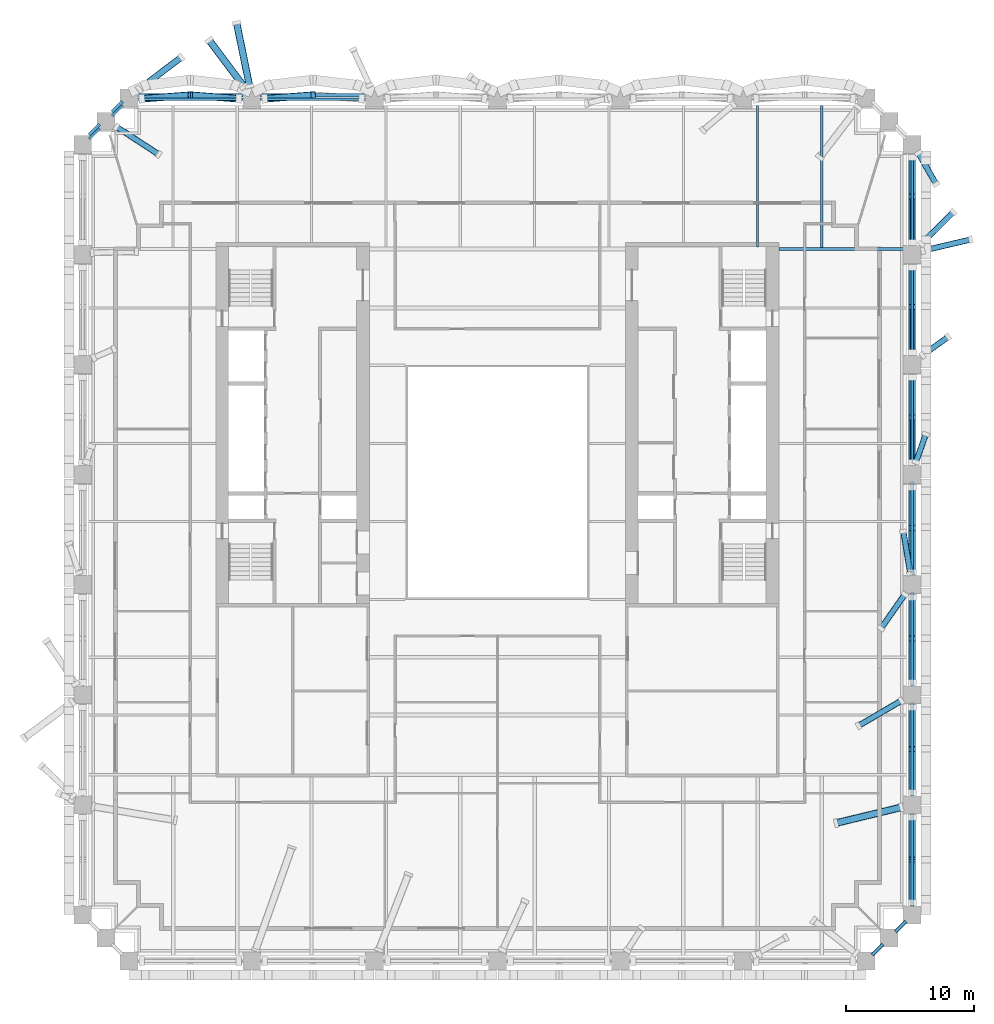
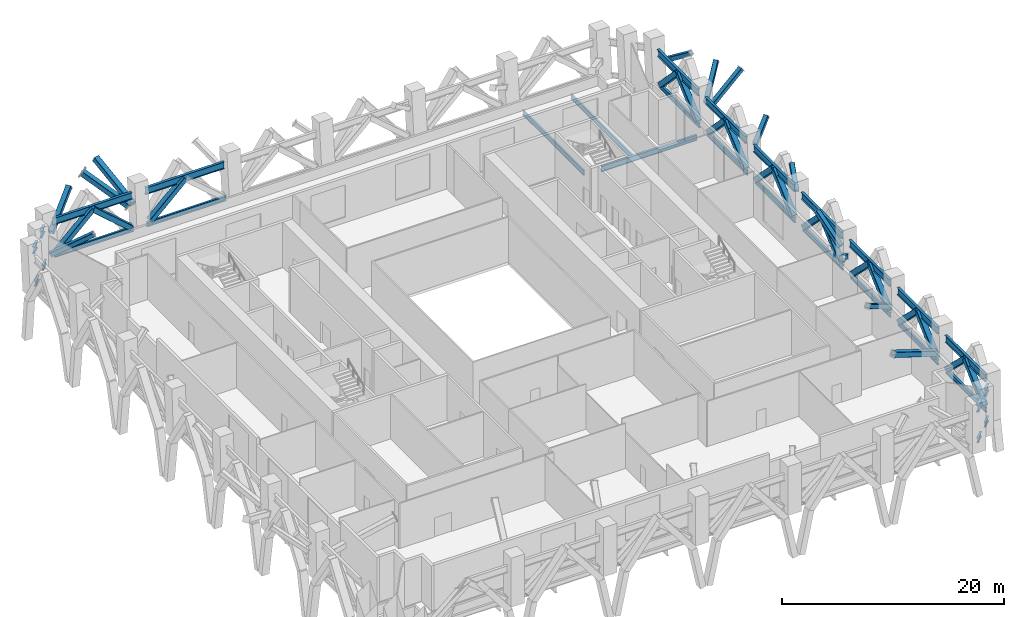
# One storey, part 3 of 19: 30 members, 29 beams.
"""IFC4 building model written with IfcOpenShell, lengths in metres."""

from ifc_helpers import new_model, si_unit, direction, frame, origin, origin_2d, place, context, subcontext, project, spatial, hollow_rectangle, i_section, extrude, material, material_profile, profile_set, type_object, element, save


model = new_model("IFC4")

# Units and contexts
model_context = context("Model", 3, precision=1e-05, world=origin(), true_north=direction((0.0, 1.0)))
body_context = subcontext(model_context, "Body", "Model", "MODEL_VIEW")
ifc_project = project(units=[si_unit("LENGTHUNIT", "METRE"), si_unit("AREAUNIT", "SQUARE_METRE"), si_unit("VOLUMEUNIT", "CUBIC_METRE"), si_unit("PLANEANGLEUNIT", "RADIAN"), si_unit("MASSUNIT", "GRAM", prefix="KILO")], contexts=[model_context])

# Site, building, storey
site_placement = place(None, origin())
site = spatial("IfcSite", under=ifc_project, at=site_placement, CompositionType="ELEMENT")
building_placement = place(site_placement, origin())
building = spatial("IfcBuilding", under=site, at=building_placement, Name="Ogive Exchange Tower", CompositionType="ELEMENT")
storey_placement = place(building_placement, frame((0.0, 0.0, 94.199951171875)))
storey = spatial("IfcBuildingStorey", under=building, at=storey_placement, Name="L20", CompositionType="ELEMENT", Elevation=94.199951171875)

# Beams
ifc_material_1 = material(Name="Steel ASTM A992 Gr50", Category="steel")
ifc_material_profile_1 = material_profile(ifc_material_1, i_section(OverallWidth=0.2099609375, OverallDepth=0.535888671875, WebThickness=0.010986328125, FlangeThickness=0.017333984375, at=origin_2d()), Name="W530x101")
ifc_profile_set_1 = profile_set([ifc_material_profile_1], Name="Steel ASTM A992 Gr50")
beam_type_1 = type_object("IfcBeamType", Name="Belt truss bottom chord W530x101", PredefinedType="BEAM", material=ifc_profile_set_1)
for number, where, z_axis, x_axis, name in (
    (1, (29.287841796875, -29.912109375, 0.400146484375), (0.707106781187, 0.707106781187, 0.0), (-0.707106781187, 0.707106781187, 0.0), "Belt truss bottom chord 7"),
    (2, (31.087890625, -28.112060546875, 0.400146484375), (0.707106781187, 0.707106781187, 0.0), (-0.707106781187, 0.707106781187, 0.0), "Belt truss bottom chord 8"),
):
    element("IfcBeam", number, at=place(storey_placement, frame(where, z_axis=z_axis, x_axis=x_axis)), inside=storey, type_object=beam_type_1, Name=name, PredefinedType="BEAM", context=body_context, shape_type="SweptSolid", body=[
        extrude(i_section(OverallWidth=0.2099609375, OverallDepth=0.535888671875, WebThickness=0.010986328125, FlangeThickness=0.017333984375, at=origin_2d()), origin(), (0.0, 0.0, 1.0), 1.16552734375),
    ])
beam_1_placement = place(storey_placement, frame((32.39990234375, -26.1201171875, 0.400146484375), z_axis=(0.0, 1.0, 0.0), x_axis=(-1.0, 0.0, 0.0)))
element("IfcBeam", 3, at=beam_1_placement, inside=storey, type_object=beam_type_1, Name="Belt truss bottom chord 9", PredefinedType="BEAM", context=body_context, shape_type="SweptSolid", body=[
    extrude(i_section(OverallWidth=0.2099609375, OverallDepth=0.535888671875, WebThickness=0.010986328125, FlangeThickness=0.017333984375, at=origin_2d()), origin(), (0.0, 0.0, 1.0), 7.232421875),
])
for number, where, z_axis, x_axis, name in (
    (4, (32.39990234375, -17.52783203125, 0.400146484375), (0.0, 1.0, 0.0), (-1.0, 0.0, 0.0), "Belt truss bottom chord 10"),
    (5, (32.39990234375, -8.935546875, 0.400146484375), (0.0, 1.0, 0.0), (-1.0, 0.0, 0.0), "Belt truss bottom chord 11"),
):
    element("IfcBeam", number, at=place(storey_placement, frame(where, z_axis=z_axis, x_axis=x_axis)), inside=storey, type_object=beam_type_1, Name=name, PredefinedType="BEAM", context=body_context, shape_type="SweptSolid", body=[
        extrude(i_section(OverallWidth=0.2099609375, OverallDepth=0.535888671875, WebThickness=0.010986328125, FlangeThickness=0.017333984375, at=origin_2d()), origin(), (0.0, 0.0, 1.0), 7.232177734375),
    ])
beam_2_placement = place(storey_placement, frame((32.39990234375, -0.343505859375, 0.400146484375), z_axis=(0.0, 1.0, 0.0), x_axis=(-1.0, 0.0, 0.0)))
element("IfcBeam", 6, at=beam_2_placement, inside=storey, type_object=beam_type_1, Name="Belt truss bottom chord 12", PredefinedType="BEAM", context=body_context, shape_type="SweptSolid", body=[
    extrude(i_section(OverallWidth=0.2099609375, OverallDepth=0.535888671875, WebThickness=0.010986328125, FlangeThickness=0.017333984375, at=origin_2d()), origin(), (0.0, 0.0, 1.0), 7.232421875),
])
for number, where, z_axis, x_axis, name in (
    (7, (32.39990234375, 8.248779296875, 0.400146484375), (0.0, 1.0, 0.0), (-1.0, 0.0, 0.0), "Belt truss bottom chord 13"),
    (8, (32.39990234375, 16.841064453125, 0.400146484375), (0.0, 1.0, 0.0), (-1.0, 0.0, 0.0), "Belt truss bottom chord 14"),
):
    element("IfcBeam", number, at=place(storey_placement, frame(where, z_axis=z_axis, x_axis=x_axis)), inside=storey, type_object=beam_type_1, Name=name, PredefinedType="BEAM", context=body_context, shape_type="SweptSolid", body=[
        extrude(i_section(OverallWidth=0.2099609375, OverallDepth=0.535888671875, WebThickness=0.010986328125, FlangeThickness=0.017333984375, at=origin_2d()), origin(), (0.0, 0.0, 1.0), 7.232177734375),
    ])
beam_3_placement = place(storey_placement, frame((32.39990234375, 25.43310546875, 0.400146484375), z_axis=(0.0, 1.0, 0.0), x_axis=(-1.0, 0.0, 0.0)))
element("IfcBeam", 9, at=beam_3_placement, inside=storey, type_object=beam_type_1, Name="Belt truss bottom chord 15", PredefinedType="BEAM", context=body_context, shape_type="SweptSolid", body=[
    extrude(i_section(OverallWidth=0.2099609375, OverallDepth=0.535888671875, WebThickness=0.010986328125, FlangeThickness=0.017333984375, at=origin_2d()), origin(), (0.0, 0.0, 1.0), 7.232421875),
])
beam_4_placement = place(storey_placement, frame((-10.280029296875, 36.945556640625, 0.400146484375), z_axis=(-1.0, 0.0, 0.0), x_axis=(0.0, -1.0, 0.0)))
element("IfcBeam", 10, at=beam_4_placement, inside=storey, type_object=beam_type_1, Name="Belt truss bottom chord 22", PredefinedType="BEAM", context=body_context, shape_type="SweptSolid", body=[
    extrude(i_section(OverallWidth=0.2099609375, OverallDepth=0.535888671875, WebThickness=0.010986328125, FlangeThickness=0.017333984375, at=origin_2d()), origin(), (0.0, 0.0, 1.0), 8.239990234375),
])
beam_5_placement = place(storey_placement, frame((-19.8798828125, 36.945556640625, 0.400146484375), z_axis=(-1.0, 0.0, 0.0), x_axis=(0.0, -1.0, 0.0)))
element("IfcBeam", 11, at=beam_5_placement, inside=storey, type_object=beam_type_1, Name="Belt truss bottom chord 23", PredefinedType="BEAM", context=body_context, shape_type="SweptSolid", body=[
    extrude(i_section(OverallWidth=0.2099609375, OverallDepth=0.535888671875, WebThickness=0.010986328125, FlangeThickness=0.017333984375, at=origin_2d()), origin(), (0.0, 0.0, 1.0), 8.240234375),
])
beam_6_placement = place(storey_placement, frame((-29.287841796875, 36.45751953125, 0.400146484375), z_axis=(-0.707106781187, -0.707106781187, 0.0), x_axis=(0.707106781187, -0.707106781187, 0.0)))
element("IfcBeam", 12, at=beam_6_placement, inside=storey, type_object=beam_type_1, Name="Belt truss bottom chord 24", PredefinedType="BEAM", context=body_context, shape_type="SweptSolid", body=[
    extrude(i_section(OverallWidth=0.2099609375, OverallDepth=0.535888671875, WebThickness=0.010986328125, FlangeThickness=0.017333984375, at=origin_2d()), origin(), (0.0, 0.0, 1.0), 1.16552734375),
])
beam_7_placement = place(storey_placement, frame((-31.087890625, 34.65771484375, 0.400146484375), z_axis=(-0.707002063412, -0.707211483455, 0.0), x_axis=(0.707211483455, -0.707002063412, 0.0)))
element("IfcBeam", 13, at=beam_7_placement, inside=storey, type_object=beam_type_1, Name="Belt truss bottom chord 25", PredefinedType="BEAM", context=body_context, shape_type="SweptSolid", body=[
    extrude(i_section(OverallWidth=0.2099609375, OverallDepth=0.535888671875, WebThickness=0.010986328125, FlangeThickness=0.017333984375, at=origin_2d()), origin(), (0.0, 0.0, 1.0), 1.165771484375),
])

# Members
ifc_material_2 = material(Name="Steel ASTM A1085 Gr A", Category="steel")
ifc_material_profile_2 = material_profile(ifc_material_2, hollow_rectangle(XDim=0.55908203125, YDim=0.55908203125, WallThickness=0.022216796875, InnerFilletRadius=0.022216796875, OuterFilletRadius=0.04443359375, at=origin_2d()), Name="HSS558.8x558.8x22.2")
ifc_profile_set_2 = profile_set([ifc_material_profile_2], Name="Steel ASTM A1085 Gr A")
member_type_1 = type_object("IfcMemberType", Name="Belt truss diagonal HSS558.8x558.8x22.2", PredefinedType="BRACE", material=ifc_profile_set_2)
member_1_placement = place(storey_placement, frame((32.39990234375, -25.821044921875, 0.685302734375), z_axis=(0.0, 0.723386756394, 0.690443046655), x_axis=(-1.0, 0.0, 0.0)))
element("IfcMember", 14, at=member_1_placement, inside=storey, type_object=member_type_1, Name="Belt truss diagonal 9a", PredefinedType="BRACE", context=body_context, shape_type="SweptSolid", body=[
    extrude(hollow_rectangle(XDim=0.55908203125, YDim=0.55908203125, WallThickness=0.022216796875, InnerFilletRadius=0.022216796875, OuterFilletRadius=0.04443359375, at=origin_2d()), origin(), (0.0, 0.0, 1.0), 4.616943359375),
])
member_2_placement = place(storey_placement, frame((32.39990234375, -19.18310546875, 0.685546875), z_axis=(0.0, -0.71906018905, 0.694947799855), x_axis=(1.0, 0.0, 0.0)))
element("IfcMember", 15, at=member_2_placement, inside=storey, type_object=member_type_1, Name="Belt truss diagonal 9b", PredefinedType="BRACE", context=body_context, shape_type="SweptSolid", body=[
    extrude(hollow_rectangle(XDim=0.55908203125, YDim=0.55908203125, WallThickness=0.022216796875, InnerFilletRadius=0.022216796875, OuterFilletRadius=0.04443359375, at=origin_2d()), origin(), (0.0, 0.0, 1.0), 4.586669921875),
])
member_3_placement = place(storey_placement, frame((32.39990234375, -17.225341796875, 0.68505859375), z_axis=(0.0, 0.727604389955, 0.685996976464), x_axis=(-1.0, 0.0, 0.0)))
element("IfcMember", 16, at=member_3_placement, inside=storey, type_object=member_type_1, Name="Belt truss diagonal 10a", PredefinedType="BRACE", context=body_context, shape_type="SweptSolid", body=[
    extrude(hollow_rectangle(XDim=0.55908203125, YDim=0.55908203125, WallThickness=0.022216796875, InnerFilletRadius=0.022216796875, OuterFilletRadius=0.04443359375, at=origin_2d()), origin(), (0.0, 0.0, 1.0), 4.647216796875),
])
member_4_placement = place(storey_placement, frame((32.39990234375, -10.58740234375, 0.685546875), z_axis=(0.0, -0.714647112371, 0.699485171236), x_axis=(1.0, 0.0, 0.0)))
element("IfcMember", 17, at=member_4_placement, inside=storey, type_object=member_type_1, Name="Belt truss diagonal 10b", PredefinedType="BRACE", context=body_context, shape_type="SweptSolid", body=[
    extrude(hollow_rectangle(XDim=0.55908203125, YDim=0.55908203125, WallThickness=0.022216796875, InnerFilletRadius=0.022216796875, OuterFilletRadius=0.04443359375, at=origin_2d()), origin(), (0.0, 0.0, 1.0), 4.556884765625),
])
member_5_placement = place(storey_placement, frame((32.39990234375, -8.62939453125, 0.68505859375), z_axis=(0.0, 0.731742254082, 0.681581450446), x_axis=(-1.0, 0.0, 0.0)))
element("IfcMember", 18, at=member_5_placement, inside=storey, type_object=member_type_1, Name="Belt truss diagonal 11a", PredefinedType="BRACE", context=body_context, shape_type="SweptSolid", body=[
    extrude(hollow_rectangle(XDim=0.55908203125, YDim=0.55908203125, WallThickness=0.022216796875, InnerFilletRadius=0.022216796875, OuterFilletRadius=0.04443359375, at=origin_2d()), origin(), (0.0, 0.0, 1.0), 4.67724609375),
])
member_6_placement = place(storey_placement, frame((32.39990234375, -1.991455078125, 0.685546875), z_axis=(0.0, -0.710173745824, 0.704026455996), x_axis=(1.0, 0.0, 0.0)))
element("IfcMember", 19, at=member_6_placement, inside=storey, type_object=member_type_1, Name="Belt truss diagonal 11b", PredefinedType="BRACE", context=body_context, shape_type="SweptSolid", body=[
    extrude(hollow_rectangle(XDim=0.55908203125, YDim=0.55908203125, WallThickness=0.022216796875, InnerFilletRadius=0.022216796875, OuterFilletRadius=0.04443359375, at=origin_2d()), origin(), (0.0, 0.0, 1.0), 4.527587890625),
])
member_7_placement = place(storey_placement, frame((32.39990234375, -0.03369140625, 0.68505859375), z_axis=(0.0, 0.735848322951, 0.67714639895), x_axis=(-1.0, 0.0, 0.0)))
element("IfcMember", 20, at=member_7_placement, inside=storey, type_object=member_type_1, Name="Belt truss diagonal 12a", PredefinedType="BRACE", context=body_context, shape_type="SweptSolid", body=[
    extrude(hollow_rectangle(XDim=0.55908203125, YDim=0.55908203125, WallThickness=0.022216796875, InnerFilletRadius=0.022216796875, OuterFilletRadius=0.04443359375, at=origin_2d()), origin(), (0.0, 0.0, 1.0), 4.7080078125),
])
member_8_placement = place(storey_placement, frame((32.39990234375, 6.604248046875, 0.685791015625), z_axis=(0.0, -0.705585308717, 0.708624986945), x_axis=(1.0, 0.0, 0.0)))
element("IfcMember", 21, at=member_8_placement, inside=storey, type_object=member_type_1, Name="Belt truss diagonal 12b", PredefinedType="BRACE", context=body_context, shape_type="SweptSolid", body=[
    extrude(hollow_rectangle(XDim=0.55908203125, YDim=0.55908203125, WallThickness=0.022216796875, InnerFilletRadius=0.022216796875, OuterFilletRadius=0.04443359375, at=origin_2d()), origin(), (0.0, 0.0, 1.0), 4.497802734375),
])
member_9_placement = place(storey_placement, frame((32.39990234375, 8.56201171875, 0.684814453125), z_axis=(0.0, 0.739825833074, 0.672798436916), x_axis=(-1.0, 0.0, 0.0)))
element("IfcMember", 22, at=member_9_placement, inside=storey, type_object=member_type_1, Name="Belt truss diagonal 13a", PredefinedType="BRACE", context=body_context, shape_type="SweptSolid", body=[
    extrude(hollow_rectangle(XDim=0.55908203125, YDim=0.55908203125, WallThickness=0.022216796875, InnerFilletRadius=0.022216796875, OuterFilletRadius=0.04443359375, at=origin_2d()), origin(), (0.0, 0.0, 1.0), 4.73876953125),
])
member_10_placement = place(storey_placement, frame((32.39990234375, 15.2001953125, 0.685791015625), z_axis=(0.0, -0.700933922614, 0.713226216658), x_axis=(1.0, 0.0, 0.0)))
element("IfcMember", 23, at=member_10_placement, inside=storey, type_object=member_type_1, Name="Belt truss diagonal 13b", PredefinedType="BRACE", context=body_context, shape_type="SweptSolid", body=[
    extrude(hollow_rectangle(XDim=0.55908203125, YDim=0.55908203125, WallThickness=0.022216796875, InnerFilletRadius=0.022216796875, OuterFilletRadius=0.04443359375, at=origin_2d()), origin(), (0.0, 0.0, 1.0), 4.46875),
])
member_11_placement = place(storey_placement, frame((32.39990234375, 17.15771484375, 0.684814453125), z_axis=(0.0, 0.743752112809, 0.66845552933), x_axis=(-1.0, 0.0, 0.0)))
element("IfcMember", 24, at=member_11_placement, inside=storey, type_object=member_type_1, Name="Belt truss diagonal 14a", PredefinedType="BRACE", context=body_context, shape_type="SweptSolid", body=[
    extrude(hollow_rectangle(XDim=0.55908203125, YDim=0.55908203125, WallThickness=0.022216796875, InnerFilletRadius=0.022216796875, OuterFilletRadius=0.04443359375, at=origin_2d()), origin(), (0.0, 0.0, 1.0), 4.76953125),
])
member_12_placement = place(storey_placement, frame((32.39990234375, 23.7958984375, 0.68603515625), z_axis=(0.0, -0.696190494053, 0.717857086048), x_axis=(1.0, 0.0, 0.0)))
element("IfcMember", 25, at=member_12_placement, inside=storey, type_object=member_type_1, Name="Belt truss diagonal 14b", PredefinedType="BRACE", context=body_context, shape_type="SweptSolid", body=[
    extrude(hollow_rectangle(XDim=0.55908203125, YDim=0.55908203125, WallThickness=0.022216796875, InnerFilletRadius=0.022216796875, OuterFilletRadius=0.04443359375, at=origin_2d()), origin(), (0.0, 0.0, 1.0), 4.439697265625),
])
member_13_placement = place(storey_placement, frame((32.39990234375, 25.753662109375, 0.6845703125), z_axis=(0.0, 0.747577644333, 0.664174424149), x_axis=(-1.0, 0.0, 0.0)))
element("IfcMember", 26, at=member_13_placement, inside=storey, type_object=member_type_1, Name="Belt truss diagonal 15a", PredefinedType="BRACE", context=body_context, shape_type="SweptSolid", body=[
    extrude(hollow_rectangle(XDim=0.55908203125, YDim=0.55908203125, WallThickness=0.022216796875, InnerFilletRadius=0.022216796875, OuterFilletRadius=0.04443359375, at=origin_2d()), origin(), (0.0, 0.0, 1.0), 4.80078125),
])
member_14_placement = place(storey_placement, frame((32.39990234375, 32.391845703125, 0.68603515625), z_axis=(0.0, -0.691325690008, 0.722543279212), x_axis=(1.0, 0.0, 0.0)))
element("IfcMember", 27, at=member_14_placement, inside=storey, type_object=member_type_1, Name="Belt truss diagonal 15b", PredefinedType="BRACE", context=body_context, shape_type="SweptSolid", body=[
    extrude(hollow_rectangle(XDim=0.55908203125, YDim=0.55908203125, WallThickness=0.022216796875, InnerFilletRadius=0.022216796875, OuterFilletRadius=0.04443359375, at=origin_2d()), origin(), (0.0, 0.0, 1.0), 4.410888671875),
])
member_15_placement = place(storey_placement, frame((-18.18310546875, 36.97119140625, 0.68408203125), z_axis=(0.763291221325, 0.058517680107, 0.643398937335), x_axis=(-0.076440634462, 0.997074134357, 0.0)))
element("IfcMember", 28, at=member_15_placement, inside=storey, type_object=member_type_1, Name="Belt truss diagonal 22b", PredefinedType="BRACE", context=body_context, shape_type="SweptSolid", body=[
    extrude(hollow_rectangle(XDim=0.55908203125, YDim=0.55908203125, WallThickness=0.022216796875, InnerFilletRadius=0.022216796875, OuterFilletRadius=0.04443359375, at=origin_2d()), origin(), (0.0, 0.0, 1.0), 4.95654296875),
])
for number, where, z_axis, x_axis, name in (
    (29, (-20.217041015625, 36.97119140625, 0.68408203125), (-0.76327066083, 0.058519880288, 0.643423128219), (-0.076445538878, -0.997073758348, 0.0), "Belt truss diagonal 23a"),
    (30, (-27.782958984375, 36.97119140625, 0.68408203125), (0.76327066083, 0.058519880288, 0.643423128219), (-0.076445538878, 0.997073758348, 0.0), "Belt truss diagonal 23b"),
):
    element("IfcMember", number, at=place(storey_placement, frame(where, z_axis=z_axis, x_axis=x_axis)), inside=storey, type_object=member_type_1, Name=name, PredefinedType="BRACE", context=body_context, shape_type="SweptSolid", body=[
        extrude(hollow_rectangle(XDim=0.55908203125, YDim=0.55908203125, WallThickness=0.022216796875, InnerFilletRadius=0.022216796875, OuterFilletRadius=0.04443359375, at=origin_2d()), origin(), (0.0, 0.0, 1.0), 4.956298828125),
    ])

# Beams
ifc_material_profile_3 = material_profile(ifc_material_1, i_section(OverallWidth=0.26708984375, OverallDepth=0.75390625, WebThickness=0.01318359375, FlangeThickness=0.01708984375, at=origin_2d()), Name="W760x147")
ifc_profile_set_3 = profile_set([ifc_material_profile_3], Name="Steel ASTM A992 Gr50")
beam_type_2 = type_object("IfcBeamType", Name="Belt truss top chord W760x147", PredefinedType="BEAM", material=ifc_profile_set_3)
for number, where, z_axis, x_axis, name in (
    (31, (29.287841796875, -29.912109375, 3.873046875), (0.707106781187, 0.707106781187, 0.0), (-0.707106781187, 0.707106781187, 0.0), "Belt truss top chord 7"),
    (32, (31.087890625, -28.112060546875, 3.873046875), (0.707106781187, 0.707106781187, 0.0), (-0.707106781187, 0.707106781187, 0.0), "Belt truss top chord 8"),
):
    element("IfcBeam", number, at=place(storey_placement, frame(where, z_axis=z_axis, x_axis=x_axis)), inside=storey, type_object=beam_type_2, Name=name, PredefinedType="BEAM", context=body_context, shape_type="SweptSolid", body=[
        extrude(i_section(OverallWidth=0.26708984375, OverallDepth=0.75390625, WebThickness=0.01318359375, FlangeThickness=0.01708984375, at=origin_2d()), origin(), (0.0, 0.0, 1.0), 1.16552734375),
    ])
for number, where, z_axis, x_axis, name in (
    (33, (32.39990234375, -26.1201171875, 3.873046875), (0.0, 1.0, 0.0), (-1.0, 0.0, 0.0), "Belt truss top chord 9"),
    (34, (32.39990234375, -17.482666015625, 3.873046875), (0.0, 1.0, 0.0), (-1.0, 0.0, 0.0), "Belt truss top chord 10"),
    (35, (32.39990234375, -8.845458984375, 3.873046875), (0.0, 1.0, 0.0), (-1.0, 0.0, 0.0), "Belt truss top chord 11"),
):
    element("IfcBeam", number, at=place(storey_placement, frame(where, z_axis=z_axis, x_axis=x_axis)), inside=storey, type_object=beam_type_2, Name=name, PredefinedType="BEAM", context=body_context, shape_type="SweptSolid", body=[
        extrude(i_section(OverallWidth=0.26708984375, OverallDepth=0.75390625, WebThickness=0.01318359375, FlangeThickness=0.01708984375, at=origin_2d()), origin(), (0.0, 0.0, 1.0), 7.27734375),
    ])
beam_8_placement = place(storey_placement, frame((32.39990234375, -0.2080078125, 3.873046875), z_axis=(0.0, 1.0, 0.0), x_axis=(-1.0, 0.0, 0.0)))
element("IfcBeam", 36, at=beam_8_placement, inside=storey, type_object=beam_type_2, Name="Belt truss top chord 12", PredefinedType="BEAM", context=body_context, shape_type="SweptSolid", body=[
    extrude(i_section(OverallWidth=0.26708984375, OverallDepth=0.75390625, WebThickness=0.01318359375, FlangeThickness=0.01708984375, at=origin_2d()), origin(), (0.0, 0.0, 1.0), 7.277099609375),
])
for number, where, z_axis, x_axis, name in (
    (37, (32.39990234375, 8.42919921875, 3.873046875), (0.0, 1.0, 0.0), (-1.0, 0.0, 0.0), "Belt truss top chord 13"),
    (38, (32.39990234375, 17.066650390625, 3.873046875), (0.0, 1.0, 0.0), (-1.0, 0.0, 0.0), "Belt truss top chord 14"),
    (39, (32.39990234375, 25.703857421875, 3.873046875), (0.0, 1.0, 0.0), (-1.0, 0.0, 0.0), "Belt truss top chord 15"),
):
    element("IfcBeam", number, at=place(storey_placement, frame(where, z_axis=z_axis, x_axis=x_axis)), inside=storey, type_object=beam_type_2, Name=name, PredefinedType="BEAM", context=body_context, shape_type="SweptSolid", body=[
        extrude(i_section(OverallWidth=0.26708984375, OverallDepth=0.75390625, WebThickness=0.01318359375, FlangeThickness=0.01708984375, at=origin_2d()), origin(), (0.0, 0.0, 1.0), 7.27734375),
    ])
beam_9_placement = place(storey_placement, frame((-10.280029296875, 37.26123046875, 3.873046875), z_axis=(-1.0, 0.0, 0.0), x_axis=(0.0, -1.0, 0.0)))
element("IfcBeam", 40, at=beam_9_placement, inside=storey, type_object=beam_type_2, Name="Belt truss top chord 22", PredefinedType="BEAM", context=body_context, shape_type="SweptSolid", body=[
    extrude(i_section(OverallWidth=0.26708984375, OverallDepth=0.75390625, WebThickness=0.01318359375, FlangeThickness=0.01708984375, at=origin_2d()), origin(), (0.0, 0.0, 1.0), 8.239990234375),
])
beam_10_placement = place(storey_placement, frame((-19.8798828125, 37.26123046875, 3.873046875), z_axis=(-1.0, 0.0, 0.0), x_axis=(0.0, -1.0, 0.0)))
element("IfcBeam", 41, at=beam_10_placement, inside=storey, type_object=beam_type_2, Name="Belt truss top chord 23", PredefinedType="BEAM", context=body_context, shape_type="SweptSolid", body=[
    extrude(i_section(OverallWidth=0.26708984375, OverallDepth=0.75390625, WebThickness=0.01318359375, FlangeThickness=0.01708984375, at=origin_2d()), origin(), (0.0, 0.0, 1.0), 8.240234375),
])
beam_11_placement = place(storey_placement, frame((-29.287841796875, 36.773193359375, 3.873046875), z_axis=(-0.707106781187, -0.707106781187, 0.0), x_axis=(0.707106781187, -0.707106781187, 0.0)))
element("IfcBeam", 42, at=beam_11_placement, inside=storey, type_object=beam_type_2, Name="Belt truss top chord 24", PredefinedType="BEAM", context=body_context, shape_type="SweptSolid", body=[
    extrude(i_section(OverallWidth=0.26708984375, OverallDepth=0.75390625, WebThickness=0.01318359375, FlangeThickness=0.01708984375, at=origin_2d()), origin(), (0.0, 0.0, 1.0), 1.16552734375),
])
beam_12_placement = place(storey_placement, frame((-31.087890625, 34.973388671875, 3.873046875), z_axis=(-0.707002063412, -0.707211483455, 0.0), x_axis=(0.707211483455, -0.707002063412, 0.0)))
element("IfcBeam", 43, at=beam_12_placement, inside=storey, type_object=beam_type_2, Name="Belt truss top chord 25", PredefinedType="BEAM", context=body_context, shape_type="SweptSolid", body=[
    extrude(i_section(OverallWidth=0.26708984375, OverallDepth=0.75390625, WebThickness=0.01318359375, FlangeThickness=0.01708984375, at=origin_2d()), origin(), (0.0, 0.0, 1.0), 1.165771484375),
])

# Members
ifc_material_profile_4 = material_profile(ifc_material_2, hollow_rectangle(XDim=0.45703125, YDim=0.45703125, WallThickness=0.01904296875, InnerFilletRadius=0.01904296875, OuterFilletRadius=0.0380859375, at=origin_2d()), Name="HSS457.2x457.2x19")
ifc_profile_set_4 = profile_set([ifc_material_profile_4], Name="Steel ASTM A1085 Gr A")
member_type_2 = type_object("IfcMemberType", Name="Block-change strut HSS457.2x457.2x19", PredefinedType="STRUT", material=ifc_profile_set_4)
member_16_placement = place(storey_placement, frame((31.55517578125, -10.0595703125, 2.36865234375), z_axis=(-0.735024578626, -0.430322696703, 0.523985921107), x_axis=(0.505235521101, -0.862981499348, 0.0)))
element("IfcMember", 44, at=member_16_placement, inside=storey, type_object=member_type_2, Name="Block-change strut 10", PredefinedType="STRUT", context=body_context, shape_type="SweptSolid", body=[
    extrude(hollow_rectangle(XDim=0.45703125, YDim=0.45703125, WallThickness=0.01904296875, InnerFilletRadius=0.01904296875, OuterFilletRadius=0.0380859375, at=origin_2d()), origin(), (0.0, 0.0, 1.0), 4.5302734375),
])
member_17_placement = place(storey_placement, frame((31.8291015625, -1.749267578125, 2.7353515625), z_axis=(-0.487086453065, -0.69646953756, 0.526950633829), x_axis=(0.81947629471, -0.573113079948, 0.0)))
element("IfcMember", 45, at=member_17_placement, inside=storey, type_object=member_type_2, Name="Block-change strut 11", PredefinedType="STRUT", context=body_context, shape_type="SweptSolid", body=[
    extrude(hollow_rectangle(XDim=0.45703125, YDim=0.45703125, WallThickness=0.01904296875, InnerFilletRadius=0.01904296875, OuterFilletRadius=0.0380859375, at=origin_2d()), origin(), (0.0, 0.0, 1.0), 3.809326171875),
])
member_18_placement = place(storey_placement, frame((32.264404296875, -0.11962890625, 2.681884765625), z_axis=(-0.139330276638, 0.838416194231, 0.526920638486), x_axis=(-0.986471231929, -0.163934464274, 0.0)))
element("IfcMember", 46, at=member_18_placement, inside=storey, type_object=member_type_2, Name="Block-change strut 12", PredefinedType="STRUT", context=body_context, shape_type="SweptSolid", body=[
    extrude(hollow_rectangle(XDim=0.45703125, YDim=0.45703125, WallThickness=0.01904296875, InnerFilletRadius=0.01904296875, OuterFilletRadius=0.0380859375, at=origin_2d()), origin(), (0.0, 0.0, 1.0), 3.910888671875),
])
member_19_placement = place(storey_placement, frame((32.701416015625, 8.581298828125, 3.311279296875), z_axis=(0.280595770416, 0.802241462758, 0.526948431117), x_axis=(-0.943927579733, 0.330152577182, 0.0)))
element("IfcMember", 47, at=member_19_placement, inside=storey, type_object=member_type_2, Name="Block-change strut 13", PredefinedType="STRUT", context=body_context, shape_type="SweptSolid", body=[
    extrude(hollow_rectangle(XDim=0.45703125, YDim=0.45703125, WallThickness=0.01904296875, InnerFilletRadius=0.01904296875, OuterFilletRadius=0.0380859375, at=origin_2d()), origin(), (0.0, 0.0, 1.0), 2.71630859375),
])
member_20_placement = place(storey_placement, frame((33.209716796875, 16.927001953125, 3.215087890625), z_axis=(0.68932656694, 0.497140467275, 0.526953736022), x_axis=(-0.584944104647, 0.811073606054, 0.0)))
element("IfcMember", 48, at=member_20_placement, inside=storey, type_object=member_type_2, Name="Block-change strut 14", PredefinedType="STRUT", context=body_context, shape_type="SweptSolid", body=[
    extrude(hollow_rectangle(XDim=0.45703125, YDim=0.45703125, WallThickness=0.01904296875, InnerFilletRadius=0.01904296875, OuterFilletRadius=0.0380859375, at=origin_2d()), origin(), (0.0, 0.0, 1.0), 2.89892578125),
])
member_21_placement = place(storey_placement, frame((33.23974609375, 25.10302734375, 2.3740234375), z_axis=(0.827442458709, 0.194110885949, 0.52693447551), x_axis=(-0.228391029297, 0.973569482747, 0.0)))
element("IfcMember", 49, at=member_21_placement, inside=storey, type_object=member_type_2, Name="Block-change strut 15", PredefinedType="STRUT", context=body_context, shape_type="SweptSolid", body=[
    extrude(hollow_rectangle(XDim=0.45703125, YDim=0.45703125, WallThickness=0.01904296875, InnerFilletRadius=0.01904296875, OuterFilletRadius=0.0380859375, at=origin_2d()), origin(), (0.0, 0.0, 1.0), 4.4951171875),
])
member_22_placement = place(storey_placement, frame((32.885498046875, 32.734619140625, 3.0146484375), z_axis=(0.422650917249, -0.737349777071, 0.526954939631), x_axis=(0.86757931062, 0.497298843537, 0.0)))
element("IfcMember", 50, at=member_22_placement, inside=storey, type_object=member_type_2, Name="Block-change strut 16", PredefinedType="STRUT", context=body_context, shape_type="SweptSolid", body=[
    extrude(hollow_rectangle(XDim=0.45703125, YDim=0.45703125, WallThickness=0.01904296875, InnerFilletRadius=0.01904296875, OuterFilletRadius=0.0380859375, at=origin_2d()), origin(), (0.0, 0.0, 1.0), 3.279296875),
])
member_23_placement = place(storey_placement, frame((-29.7705078125, 34.782470703125, 2.3671875), z_axis=(0.717533663735, -0.467633642366, 0.516201722135), x_axis=(0.546003083888, 0.837783165494, 0.0)))
element("IfcMember", 51, at=member_23_placement, inside=storey, type_object=member_type_2, Name="Block-change strut 24", PredefinedType="STRUT", context=body_context, shape_type="SweptSolid", body=[
    extrude(hollow_rectangle(XDim=0.45703125, YDim=0.45703125, WallThickness=0.01904296875, InnerFilletRadius=0.01904296875, OuterFilletRadius=0.0380859375, at=origin_2d()), origin(), (0.0, 0.0, 1.0), 4.599609375),
])
member_24_placement = place(storey_placement, frame((33.1162109375, 25.6337890625, 2.554931640625), z_axis=(0.602067659883, 0.59989200763, 0.526919455045), x_axis=(-0.705825699703, 0.708385545899, 0.0)))
element("IfcMember", 52, at=member_24_placement, inside=storey, type_object=member_type_2, Name="Block-change strut 32", PredefinedType="STRUT", context=body_context, shape_type="SweptSolid", body=[
    extrude(hollow_rectangle(XDim=0.45703125, YDim=0.45703125, WallThickness=0.01904296875, InnerFilletRadius=0.01904296875, OuterFilletRadius=0.0380859375, at=origin_2d()), origin(), (0.0, 0.0, 1.0), 4.15185546875),
])
ifc_material_profile_5 = material_profile(ifc_material_2, hollow_rectangle(XDim=0.508056640625, YDim=0.508056640625, WallThickness=0.01904296875, InnerFilletRadius=0.01904296875, OuterFilletRadius=0.0380859375, at=origin_2d()), Name="HSS508x508x19")
ifc_profile_set_5 = profile_set([ifc_material_profile_5], Name="Steel ASTM A1085 Gr A")
member_type_3 = type_object("IfcMemberType", Name="Block-change strut HSS508x508x19", PredefinedType="STRUT", material=ifc_profile_set_5)
member_25_placement = place(storey_placement, frame((-28.00048828125, 37.72509765625, 2.342529296875), z_axis=(0.691200478975, 0.522123946297, 0.49962834444), x_axis=(-0.602747532896, 0.797931959247, 0.0)))
element("IfcMember", 53, at=member_25_placement, inside=storey, type_object=member_type_3, Name="Block-change strut 23", PredefinedType="STRUT", context=body_context, shape_type="SweptSolid", body=[
    extrude(hollow_rectangle(XDim=0.508056640625, YDim=0.508056640625, WallThickness=0.01904296875, InnerFilletRadius=0.01904296875, OuterFilletRadius=0.0380859375, at=origin_2d()), origin(), (0.0, 0.0, 1.0), 4.75341796875),
])
ifc_material_profile_6 = material_profile(ifc_material_2, hollow_rectangle(XDim=0.55908203125, YDim=0.55908203125, WallThickness=0.022216796875, InnerFilletRadius=0.022216796875, OuterFilletRadius=0.04443359375, at=origin_2d()), Name="HSS558.8x558.8x22.2")
ifc_profile_set_6 = profile_set([ifc_material_profile_6], Name="Steel ASTM A1085 Gr A")
member_type_4 = type_object("IfcMemberType", Name="Block-change strut HSS558.8x558.8x22.2", PredefinedType="STRUT", material=ifc_profile_set_6)
member_26_placement = place(storey_placement, frame((31.556640625, -18.386962890625, 2.30615234375), z_axis=(-0.884754398399, -0.213697704527, 0.414177432502), x_axis=(0.23478203195, -0.972048042781, 0.0)))
element("IfcMember", 54, at=member_26_placement, inside=storey, type_object=member_type_4, Name="Block-change strut 9", PredefinedType="STRUT", context=body_context, shape_type="SweptSolid", body=[
    extrude(hollow_rectangle(XDim=0.55908203125, YDim=0.55908203125, WallThickness=0.022216796875, InnerFilletRadius=0.022216796875, OuterFilletRadius=0.04443359375, at=origin_2d()), origin(), (0.0, 0.0, 1.0), 5.744384765625),
])
member_27_placement = place(storey_placement, frame((-19.369140625, 37.948974609375, 2.307861328125), z_axis=(-0.180334635544, 0.886448419554, 0.426249479405), x_axis=(-0.979928016076, -0.199351657401, 0.0)))
element("IfcMember", 55, at=member_27_placement, inside=storey, type_object=member_type_4, Name="Block-change strut 22", PredefinedType="STRUT", context=body_context, shape_type="SweptSolid", body=[
    extrude(hollow_rectangle(XDim=0.55908203125, YDim=0.55908203125, WallThickness=0.022216796875, InnerFilletRadius=0.022216796875, OuterFilletRadius=0.04443359375, at=origin_2d()), origin(), (0.0, 0.0, 1.0), 5.58056640625),
])
member_28_placement = place(storey_placement, frame((-19.801513671875, 37.919921875, 2.31396484375), z_axis=(-0.531618786793, 0.708666233622, 0.463868122264), x_axis=(-0.799935458425, -0.600086045792, 0.0)))
element("IfcMember", 56, at=member_28_placement, inside=storey, type_object=member_type_4, Name="Block-change strut 33", PredefinedType="STRUT", context=body_context, shape_type="SweptSolid", body=[
    extrude(hollow_rectangle(XDim=0.55908203125, YDim=0.55908203125, WallThickness=0.022216796875, InnerFilletRadius=0.022216796875, OuterFilletRadius=0.04443359375, at=origin_2d()), origin(), (0.0, 0.0, 1.0), 5.124267578125),
])

# Beams
ifc_material_profile_7 = material_profile(ifc_material_1, i_section(OverallWidth=0.1669921875, OverallDepth=0.535888671875, WebThickness=0.01025390625, FlangeThickness=0.0166015625, at=origin_2d()), Name="W530x85")
ifc_profile_set_7 = profile_set([ifc_material_profile_7], Name="Steel ASTM A992 Gr50")
beam_type_3 = type_object("IfcBeamType", Name="Floor beam W530x85", PredefinedType="JOIST", material=ifc_profile_set_7)
beam_13_placement = place(storey_placement, frame((20.331787109375, 25.39990234375, -0.56787109375), z_axis=(0.0, 1.0, 0.0), x_axis=(-1.0, 0.0, 0.0)))
element("IfcBeam", 57, at=beam_13_placement, inside=storey, type_object=beam_type_3, Name="Floor beam", PredefinedType="JOIST", context=body_context, shape_type="SweptSolid", body=[
    extrude(i_section(OverallWidth=0.1669921875, OverallDepth=0.535888671875, WebThickness=0.01025390625, FlangeThickness=0.0166015625, at=origin_2d()), origin(), (0.0, 0.0, 1.0), 11.05908203125),
])
beam_14_placement = place(storey_placement, frame((25.3408203125, 25.35888671875, -0.56787109375), z_axis=(0.0, 1.0, 0.0), x_axis=(-1.0, 0.0, 0.0)))
element("IfcBeam", 58, at=beam_14_placement, inside=storey, type_object=beam_type_3, Name="Floor beam", PredefinedType="JOIST", context=body_context, shape_type="SweptSolid", body=[
    extrude(i_section(OverallWidth=0.1669921875, OverallDepth=0.535888671875, WebThickness=0.01025390625, FlangeThickness=0.0166015625, at=origin_2d()), origin(), (0.0, 0.0, 1.0), 11.10009765625),
])
ifc_material_profile_8 = material_profile(ifc_material_1, i_section(OverallWidth=0.22802734375, OverallDepth=0.60205078125, WebThickness=0.010498046875, FlangeThickness=0.014892578125, at=origin_2d()), Name="W610x101")
ifc_profile_set_8 = profile_set([ifc_material_profile_8], Name="Steel ASTM A992 Gr50")
beam_type_4 = type_object("IfcBeamType", Name="Girder W610x101", PredefinedType="BEAM", material=ifc_profile_set_8)
beam_15_placement = place(storey_placement, frame((22.0, 25.2451171875, -0.600830078125), z_axis=(1.0, 0.0, 0.0), x_axis=(0.0, 1.0, 0.0)))
element("IfcBeam", 59, at=beam_15_placement, inside=storey, type_object=beam_type_4, Name="Header girder", PredefinedType="BEAM", context=body_context, shape_type="SweptSolid", body=[
    extrude(i_section(OverallWidth=0.22802734375, OverallDepth=0.60205078125, WebThickness=0.010498046875, FlangeThickness=0.014892578125, at=origin_2d()), origin(), (0.0, 0.0, 1.0), 9.949951171875),
])

save(model, "model.ifc")
